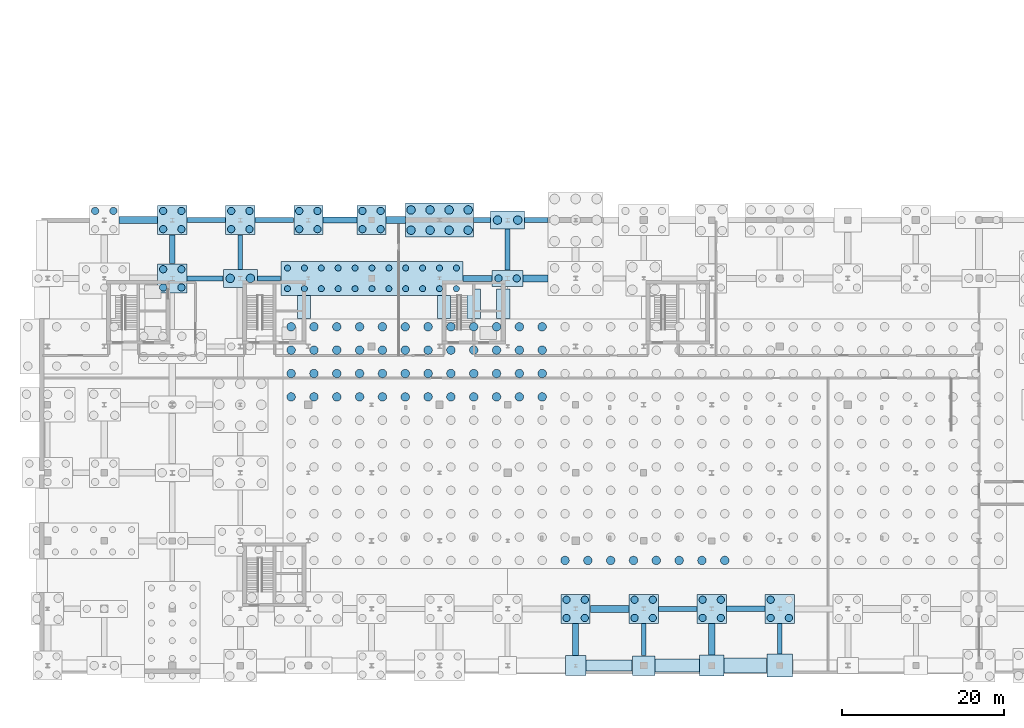
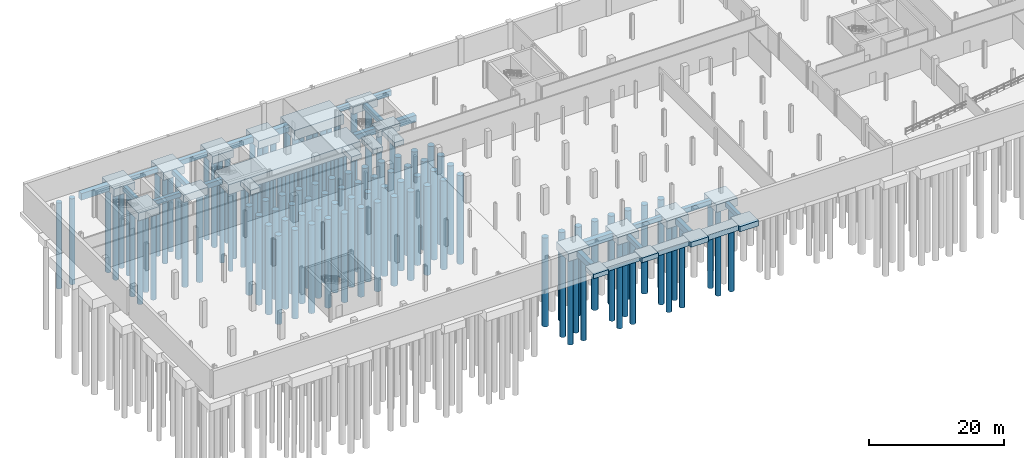
# One storey, part 3 of 32: 129 piles, 46 footings.
"""IFC4 building model written with IfcOpenShell, lengths in metres."""

from ifc_helpers import new_model, si_unit, direction, frame, origin_with_axes, origin_2d_with_axis, place, context, subcontext, project, spatial, rectangle, circle, extrude, material, material_profile, profile_set, type_object, element, save


model = new_model("IFC4")

# Units and contexts
model_context = context("Model", 3, precision=1e-05, world=origin_with_axes(), true_north=direction((0.0, 1.0)))
body_context = subcontext(model_context, "Body", "Model", "MODEL_VIEW")
ifc_project = project(units=[si_unit("LENGTHUNIT", "METRE"), si_unit("AREAUNIT", "SQUARE_METRE"), si_unit("VOLUMEUNIT", "CUBIC_METRE"), si_unit("PLANEANGLEUNIT", "RADIAN"), si_unit("MASSUNIT", "GRAM", prefix="KILO"), si_unit("THERMODYNAMICTEMPERATUREUNIT", "KELVIN")], contexts=[model_context])

# Site, building, storey
site_placement = place(None, origin_with_axes())
site = spatial("IfcSite", under=ifc_project, at=site_placement, CompositionType="ELEMENT")
building_placement = place(site_placement, origin_with_axes())
building = spatial("IfcBuilding", under=site, at=building_placement, Name="Montbau Bow Law Courts", CompositionType="ELEMENT")
storey_placement = place(building_placement, frame((0.0, 0.0, -4.8), z_axis=(0.0, 0.0, 1.0), x_axis=(1.0, 0.0, 0.0)))
storey = spatial("IfcBuildingStorey", under=building, at=storey_placement, Name="B1", CompositionType="ELEMENT", Elevation=-4.8)

# Footings
ifc_material_1 = material(Name="Concrete CSA A23.1 f'c 35 MPa", Category="concrete")
footing_type_1 = type_object("IfcFootingType", Name="FB-01", PredefinedType="FOOTING_BEAM", material=ifc_material_1)
footing_1_placement = place(None, frame((93.0, 13.8, -6.25), z_axis=(0.0, 0.0, 1.0), x_axis=(1.0, 0.0, 0.0)))
element("IfcFooting", 1, at=footing_1_placement, inside=storey, type_object=footing_type_1, Name="FB-009:fbm2_0027", PredefinedType="FOOTING_BEAM", context=body_context, shape_type="SweptSolid", body=[
    extrude(rectangle(XDim=4.77, YDim=0.65, at=origin_2d_with_axis()), origin_with_axes(), (0.0, 0.0, 1.0), 0.9),
])
footing_2_placement = place(None, frame((34.15, 54.6, -6.25), z_axis=(0.0, 0.0, 1.0), x_axis=(1.0, 0.0, 0.0)))
element("IfcFooting", 2, at=footing_2_placement, inside=storey, type_object=footing_type_1, Name="FB-045:fbm2_0063", PredefinedType="FOOTING_BEAM", context=body_context, shape_type="SweptSolid", body=[
    extrude(rectangle(XDim=2.87, YDim=0.65, at=origin_2d_with_axis()), origin_with_axes(), (0.0, 0.0, 1.0), 0.9),
])
footing_3_placement = place(None, frame((34.8, 61.8, -6.25), z_axis=(0.0, 0.0, 1.0), x_axis=(1.0, 0.0, 0.0)))
element("IfcFooting", 3, at=footing_3_placement, inside=storey, type_object=footing_type_1, Name="FB-061:fbm2_0079", PredefinedType="FOOTING_BEAM", context=body_context, shape_type="SweptSolid", body=[
    extrude(rectangle(XDim=4.77, YDim=0.65, at=origin_2d_with_axis()), origin_with_axes(), (0.0, 0.0, 1.0), 0.9),
])
footing_4_placement = place(None, frame((67.15, 61.8, -6.25), z_axis=(0.0, 0.0, 1.0), x_axis=(1.0, 0.0, 0.0)))
element("IfcFooting", 4, at=footing_4_placement, inside=storey, type_object=footing_type_1, Name="FB-065:fbm2_0083", PredefinedType="FOOTING_BEAM", context=body_context, shape_type="SweptSolid", body=[
    extrude(rectangle(XDim=2.87, YDim=0.65, at=origin_2d_with_axis()), origin_with_axes(), (0.0, 0.0, 1.0), 0.9),
])
footing_5_placement = place(None, frame((22.2, 58.2, -6.25), z_axis=(0.0, 0.0, 1.0), x_axis=(0.0, 1.0, 0.0)))
element("IfcFooting", 5, at=footing_5_placement, inside=storey, type_object=footing_type_1, Name="FB-105:fbm2_0123", PredefinedType="FOOTING_BEAM", context=body_context, shape_type="SweptSolid", body=[
    extrude(rectangle(XDim=3.57, YDim=0.65, at=origin_2d_with_axis()), origin_with_axes(), (0.0, 0.0, 1.0), 0.9),
])
footing_6_placement = place(None, frame((63.6, 58.15, -6.25), z_axis=(0.0, 0.0, 1.0), x_axis=(0.0, 1.0, 0.0)))
element("IfcFooting", 6, at=footing_6_placement, inside=storey, type_object=footing_type_1, Name="FB-117:fbm2_0135", PredefinedType="FOOTING_BEAM", context=body_context, shape_type="SweptSolid", body=[
    extrude(rectangle(XDim=5.07, YDim=0.65, at=origin_2d_with_axis()), origin_with_axes(), (0.0, 0.0, 1.0), 0.9),
])
footing_type_2 = type_object("IfcFootingType", Name="FB-02", PredefinedType="FOOTING_BEAM", material=ifc_material_1)
footing_7_placement = place(None, frame((59.9, 54.6, -6.4), z_axis=(0.0, 0.0, 1.0), x_axis=(1.0, 0.0, 0.0)))
element("IfcFooting", 7, at=footing_7_placement, inside=storey, type_object=footing_type_2, Name="FB-046:fbm2_0064", PredefinedType="FOOTING_BEAM", context=body_context, shape_type="SweptSolid", body=[
    extrude(rectangle(XDim=3.57, YDim=0.75, at=origin_2d_with_axis()), origin_with_axes(), (0.0, 0.0, 1.0), 1.05),
])
footing_8_placement = place(None, frame((42.9, 61.8, -6.4), z_axis=(0.0, 0.0, 1.0), x_axis=(1.0, 0.0, 0.0)))
element("IfcFooting", 8, at=footing_8_placement, inside=storey, type_object=footing_type_2, Name="FB-062:fbm2_0080", PredefinedType="FOOTING_BEAM", context=body_context, shape_type="SweptSolid", body=[
    extrude(rectangle(XDim=4.17, YDim=0.75, at=origin_2d_with_axis()), origin_with_axes(), (0.0, 0.0, 1.0), 1.05),
])
footing_9_placement = place(None, frame((72.0, 10.025, -6.4), z_axis=(0.0, 0.0, 1.0), x_axis=(0.0, 1.0, 0.0)))
element("IfcFooting", 9, at=footing_9_placement, inside=storey, type_object=footing_type_2, Name="FB-118:fbm2_0136", PredefinedType="FOOTING_BEAM", context=body_context, shape_type="SweptSolid", body=[
    extrude(rectangle(XDim=3.92, YDim=0.75, at=origin_2d_with_axis()), origin_with_axes(), (0.0, 0.0, 1.0), 1.05),
])
footing_10_placement = place(None, frame((88.8, 10.05, -6.4), z_axis=(0.0, 0.0, 1.0), x_axis=(0.0, 1.0, 0.0)))
element("IfcFooting", 10, at=footing_10_placement, inside=storey, type_object=footing_type_2, Name="FB-122:fbm2_0140", PredefinedType="FOOTING_BEAM", context=body_context, shape_type="SweptSolid", body=[
    extrude(rectangle(XDim=3.87, YDim=0.75, at=origin_2d_with_axis()), origin_with_axes(), (0.0, 0.0, 1.0), 1.05),
])
footing_type_3 = type_object("IfcFootingType", Name="FB-03", PredefinedType="FOOTING_BEAM", material=ifc_material_1)
footing_11_placement = place(None, frame((76.2, 13.8, -6.55), z_axis=(0.0, 0.0, 1.0), x_axis=(1.0, 0.0, 0.0)))
element("IfcFooting", 11, at=footing_11_placement, inside=storey, type_object=footing_type_3, Name="FB-007:fbm2_0025", PredefinedType="FOOTING_BEAM", context=body_context, shape_type="SweptSolid", body=[
    extrude(rectangle(XDim=4.77, YDim=0.85, at=origin_2d_with_axis()), origin_with_axes(), (0.0, 0.0, 1.0), 1.2),
])
footing_12_placement = place(None, frame((67.05, 54.6, -6.55), z_axis=(0.0, 0.0, 1.0), x_axis=(1.0, 0.0, 0.0)))
element("IfcFooting", 12, at=footing_12_placement, inside=storey, type_object=footing_type_3, Name="FB-047:fbm2_0065", PredefinedType="FOOTING_BEAM", context=body_context, shape_type="SweptSolid", body=[
    extrude(rectangle(XDim=3.07, YDim=0.85, at=origin_2d_with_axis()), origin_with_axes(), (0.0, 0.0, 1.0), 1.2),
])
footing_13_placement = place(None, frame((18.0, 61.8, -6.55), z_axis=(0.0, 0.0, 1.0), x_axis=(1.0, 0.0, 0.0)))
element("IfcFooting", 13, at=footing_13_placement, inside=storey, type_object=footing_type_3, Name="FB-059:fbm2_0077", PredefinedType="FOOTING_BEAM", context=body_context, shape_type="SweptSolid", body=[
    extrude(rectangle(XDim=4.77, YDim=0.85, at=origin_2d_with_axis()), origin_with_axes(), (0.0, 0.0, 1.0), 1.2),
])
footing_14_placement = place(None, frame((49.8, 61.8, -6.55), z_axis=(0.0, 0.0, 1.0), x_axis=(1.0, 0.0, 0.0)))
element("IfcFooting", 14, at=footing_14_placement, inside=storey, type_object=footing_type_3, Name="FB-063:fbm2_0081", PredefinedType="FOOTING_BEAM", context=body_context, shape_type="SweptSolid", body=[
    extrude(rectangle(XDim=2.37, YDim=0.85, at=origin_2d_with_axis()), origin_with_axes(), (0.0, 0.0, 1.0), 1.2),
])
footing_type_4 = type_object("IfcFootingType", Name="FB-04", PredefinedType="FOOTING_BEAM", material=ifc_material_1)
footing_15_placement = place(None, frame((84.6, 13.8, -6.15), z_axis=(0.0, 0.0, 1.0), x_axis=(1.0, 0.0, 0.0)))
element("IfcFooting", 15, at=footing_15_placement, inside=storey, type_object=footing_type_4, Name="FB-008:fbm2_0026", PredefinedType="FOOTING_BEAM", context=body_context, shape_type="SweptSolid", body=[
    extrude(rectangle(XDim=4.77, YDim=0.6, at=origin_2d_with_axis()), origin_with_axes(), (0.0, 0.0, 1.0), 0.8),
])
footing_16_placement = place(None, frame((26.25, 54.6, -6.15), z_axis=(0.0, 0.0, 1.0), x_axis=(1.0, 0.0, 0.0)))
element("IfcFooting", 16, at=footing_16_placement, inside=storey, type_object=footing_type_4, Name="FB-044:fbm2_0062", PredefinedType="FOOTING_BEAM", context=body_context, shape_type="SweptSolid", body=[
    extrude(rectangle(XDim=4.47, YDim=0.6, at=origin_2d_with_axis()), origin_with_axes(), (0.0, 0.0, 1.0), 0.8),
])
footing_17_placement = place(None, frame((26.4, 61.8, -6.15), z_axis=(0.0, 0.0, 1.0), x_axis=(1.0, 0.0, 0.0)))
element("IfcFooting", 17, at=footing_17_placement, inside=storey, type_object=footing_type_4, Name="FB-060:fbm2_0078", PredefinedType="FOOTING_BEAM", context=body_context, shape_type="SweptSolid", body=[
    extrude(rectangle(XDim=4.77, YDim=0.6, at=origin_2d_with_axis()), origin_with_axes(), (0.0, 0.0, 1.0), 0.8),
])
footing_18_placement = place(None, frame((60.45, 61.8, -6.15), z_axis=(0.0, 0.0, 1.0), x_axis=(1.0, 0.0, 0.0)))
element("IfcFooting", 18, at=footing_18_placement, inside=storey, type_object=footing_type_4, Name="FB-064:fbm2_0082", PredefinedType="FOOTING_BEAM", context=body_context, shape_type="SweptSolid", body=[
    extrude(rectangle(XDim=2.07, YDim=0.6, at=origin_2d_with_axis()), origin_with_axes(), (0.0, 0.0, 1.0), 0.8),
])
footing_19_placement = place(None, frame((30.6, 57.85, -6.15), z_axis=(0.0, 0.0, 1.0), x_axis=(0.0, 1.0, 0.0)))
element("IfcFooting", 19, at=footing_19_placement, inside=storey, type_object=footing_type_4, Name="FB-112:fbm2_0130", PredefinedType="FOOTING_BEAM", context=body_context, shape_type="SweptSolid", body=[
    extrude(rectangle(XDim=4.27, YDim=0.6, at=origin_2d_with_axis()), origin_with_axes(), (0.0, 0.0, 1.0), 0.8),
])
footing_20_placement = place(None, frame((80.4, 10.0, -6.15), z_axis=(0.0, 0.0, 1.0), x_axis=(0.0, 1.0, 0.0)))
element("IfcFooting", 20, at=footing_20_placement, inside=storey, type_object=footing_type_4, Name="FB-120:fbm2_0138", PredefinedType="FOOTING_BEAM", context=body_context, shape_type="SweptSolid", body=[
    extrude(rectangle(XDim=3.97, YDim=0.6, at=origin_2d_with_axis()), origin_with_axes(), (0.0, 0.0, 1.0), 0.8),
])
footing_21_placement = place(None, frame((97.2, 10.1, -6.15), z_axis=(0.0, 0.0, 1.0), x_axis=(0.0, 1.0, 0.0)))
element("IfcFooting", 21, at=footing_21_placement, inside=storey, type_object=footing_type_4, Name="FB-124:fbm2_0142", PredefinedType="FOOTING_BEAM", context=body_context, shape_type="SweptSolid", body=[
    extrude(rectangle(XDim=3.77, YDim=0.6, at=origin_2d_with_axis()), origin_with_axes(), (0.0, 0.0, 1.0), 0.8),
])
footing_type_5 = type_object("IfcFootingType", Name="FC-01", PredefinedType="PILE_CAP", material=ifc_material_1)
for number, where, z_axis, x_axis, name in (
    (22, (22.2, 54.6, -6.75), (0.0, 0.0, 1.0), (1.0, 0.0, 0.0), "FCA-018:ftg2_0018"),
    (23, (46.8, 61.8, -6.75), (0.0, 0.0, 1.0), (1.0, 0.0, 0.0), "FCA-030:ftg2_0030"),
    (24, (22.2, 61.8, -6.75), (0.0, 0.0, 1.0), (1.0, 0.0, 0.0), "FC-PLZ-02:ftg2_0125"),
    (25, (30.6, 61.8, -6.75), (0.0, 0.0, 1.0), (1.0, 0.0, 0.0), "FC-PLZ-03:ftg2_0126"),
    (26, (39.0, 61.8, -6.75), (0.0, 0.0, 1.0), (1.0, 0.0, 0.0), "FC-PLZ-04:ftg2_0127"),
    (27, (72.0, 13.8, -6.75), (0.0, 0.0, 1.0), (1.0, 0.0, 0.0), "FC-PLZ-09:ftg2_0132"),
    (28, (80.4, 13.8, -6.75), (0.0, 0.0, 1.0), (1.0, 0.0, 0.0), "FC-PLZ-10:ftg2_0133"),
    (29, (88.8, 13.8, -6.75), (0.0, 0.0, 1.0), (1.0, 0.0, 0.0), "FC-PLZ-11:ftg2_0134"),
    (30, (97.2, 13.8, -6.75), (0.0, 0.0, 1.0), (1.0, 0.0, 0.0), "FC-PLZ-12:ftg2_0135"),
):
    element("IfcFooting", number, at=place(None, frame(where, z_axis=z_axis, x_axis=x_axis)), inside=storey, type_object=footing_type_5, Name=name, PredefinedType="PILE_CAP", context=body_context, shape_type="SweptSolid", body=[
        extrude(rectangle(XDim=3.6, YDim=3.6, at=origin_2d_with_axis()), origin_with_axes(), (0.0, 0.0, 1.0), 1.4),
    ])
footing_type_6 = type_object("IfcFootingType", Name="FC-07", PredefinedType="PILE_CAP", material=ifc_material_1)
footing_22_placement = place(None, frame((63.6, 54.6, -6.65), z_axis=(0.0, 0.0, 1.0), x_axis=(1.0, 0.0, 0.0)))
element("IfcFooting", 31, at=footing_22_placement, inside=storey, type_object=footing_type_6, Name="FCA-033:ftg2_0033", PredefinedType="PILE_CAP", context=body_context, shape_type="SweptSolid", body=[
    extrude(rectangle(XDim=3.8, YDim=2.0, at=origin_2d_with_axis()), origin_with_axes(), (0.0, 0.0, 1.0), 1.3),
])
footing_type_7 = type_object("IfcFootingType", Name="FC-08", PredefinedType="PILE_CAP", material=ifc_material_1)
for number, where, z_axis, x_axis, name in (
    (32, (30.6, 54.6, -6.7), (0.0, 0.0, 1.0), (1.0, 0.0, 0.0), "FCA-025:ftg2_0025"),
    (33, (63.6, 61.8, -6.7), (0.0, 0.0, 1.0), (1.0, 0.0, 0.0), "FCA-034:ftg2_0034"),
):
    element("IfcFooting", number, at=place(None, frame(where, z_axis=z_axis, x_axis=x_axis)), inside=storey, type_object=footing_type_7, Name=name, PredefinedType="PILE_CAP", context=body_context, shape_type="SweptSolid", body=[
        extrude(rectangle(XDim=4.2, YDim=2.2, at=origin_2d_with_axis()), origin_with_axes(), (0.0, 0.0, 1.0), 1.35),
    ])
footing_type_8 = type_object("IfcFootingType", Name="FC-10", PredefinedType="PILE_CAP", material=ifc_material_1)
footing_23_placement = place(None, frame((55.2, 61.8, -7.1), z_axis=(0.0, 0.0, 1.0), x_axis=(1.0, 0.0, 0.0)))
element("IfcFooting", 34, at=footing_23_placement, inside=storey, type_object=footing_type_8, Name="FCA-032:ftg2_0032", PredefinedType="PILE_CAP", context=body_context, shape_type="SweptSolid", body=[
    extrude(rectangle(XDim=8.4, YDim=4.2, at=origin_2d_with_axis()), origin_with_axes(), (0.0, 0.0, 1.0), 1.75),
])
footing_type_9 = type_object("IfcFootingType", Name="FC-CMB", PredefinedType="PILE_CAP", material=ifc_material_1)
footing_24_placement = place(None, frame((46.85, 54.6, -7.15), z_axis=(0.0, 0.0, 1.0), x_axis=(1.0, 0.0, 0.0)))
element("IfcFooting", 35, at=footing_24_placement, inside=storey, type_object=footing_type_9, Name="FCA-029:ftg2_0029", PredefinedType="PILE_CAP", context=body_context, shape_type="SweptSolid", body=[
    extrude(rectangle(XDim=22.5, YDim=4.2, at=origin_2d_with_axis()), origin_with_axes(), (0.0, 0.0, 1.0), 1.8),
])
footing_type_10 = type_object("IfcFootingType", Name="FP-02", PredefinedType="PAD_FOOTING", material=ifc_material_1)
footing_25_placement = place(None, frame((72.0, 6.8, -6.15), z_axis=(0.0, 0.0, 1.0), x_axis=(1.0, 0.0, 0.0)))
element("IfcFooting", 36, at=footing_25_placement, inside=storey, type_object=footing_type_10, Name="FP-02:ftg2_0117", PredefinedType="PAD_FOOTING", context=body_context, shape_type="SweptSolid", body=[
    extrude(rectangle(XDim=2.5, YDim=2.5, at=origin_2d_with_axis()), origin_with_axes(), (0.0, 0.0, 1.0), 0.8),
])
footing_type_11 = type_object("IfcFootingType", Name="FP-03", PredefinedType="PAD_FOOTING", material=ifc_material_1)
footing_26_placement = place(None, frame((80.4, 6.8, -6.2), z_axis=(0.0, 0.0, 1.0), x_axis=(1.0, 0.0, 0.0)))
element("IfcFooting", 37, at=footing_26_placement, inside=storey, type_object=footing_type_11, Name="FP-03:ftg2_0118", PredefinedType="PAD_FOOTING", context=body_context, shape_type="SweptSolid", body=[
    extrude(rectangle(XDim=2.8, YDim=2.4, at=origin_2d_with_axis()), origin_with_axes(), (0.0, 0.0, 1.0), 0.85),
])
footing_type_12 = type_object("IfcFootingType", Name="FP-04", PredefinedType="PAD_FOOTING", material=ifc_material_1)
footing_27_placement = place(None, frame((88.8, 6.8, -6.25), z_axis=(0.0, 0.0, 1.0), x_axis=(1.0, 0.0, 0.0)))
element("IfcFooting", 38, at=footing_27_placement, inside=storey, type_object=footing_type_12, Name="FP-04:ftg2_0119", PredefinedType="PAD_FOOTING", context=body_context, shape_type="SweptSolid", body=[
    extrude(rectangle(XDim=3.0, YDim=2.6, at=origin_2d_with_axis()), origin_with_axes(), (0.0, 0.0, 1.0), 0.9),
])
footing_type_13 = type_object("IfcFootingType", Name="FP-05", PredefinedType="PAD_FOOTING", material=ifc_material_1)
footing_28_placement = place(None, frame((97.2, 6.8, -6.3), z_axis=(0.0, 0.0, 1.0), x_axis=(1.0, 0.0, 0.0)))
element("IfcFooting", 39, at=footing_28_placement, inside=storey, type_object=footing_type_13, Name="FP-05:ftg2_0120", PredefinedType="PAD_FOOTING", context=body_context, shape_type="SweptSolid", body=[
    extrude(rectangle(XDim=3.2, YDim=2.8, at=origin_2d_with_axis()), origin_with_axes(), (0.0, 0.0, 1.0), 0.95),
])

# Piles
ifc_material_2 = material(Name="Concrete CSA A23.1 f'c 40 MPa", Category="concrete")
ifc_material_profile_1 = material_profile(ifc_material_2, circle(Radius=0.375, at=origin_2d_with_axis()), Name="BP750", Category="Main", Priority=0)
ifc_profile_set_1 = profile_set([ifc_material_profile_1], Name="Concrete CSA A23.1 f'c 40 MPa")
pile_type_1 = type_object("IfcPileType", Name="P-0750", PredefinedType="BORED", material=ifc_profile_set_1)
for number, where, z_axis, x_axis, name in (
    (40, (36.425, 53.325, -21.55), (0.0, 0.0, 1.0), (1.0, 0.0, 0.0), "FCA-029-P01:pil_e2_0391"),
    (41, (36.425, 55.875, -21.55), (0.0, 0.0, 1.0), (1.0, 0.0, 0.0), "FCA-029-P02:pil_e2_0392"),
    (42, (38.51, 53.325, -21.55), (0.0, 0.0, 1.0), (1.0, 0.0, 0.0), "FCA-029-P03:pil_e2_0393"),
    (43, (38.51, 55.875, -21.55), (0.0, 0.0, 1.0), (1.0, 0.0, 0.0), "FCA-029-P04:pil_e2_0394"),
    (44, (40.595, 53.325, -21.55), (0.0, 0.0, 1.0), (1.0, 0.0, 0.0), "FCA-029-P05:pil_e2_0395"),
    (45, (40.595, 55.875, -21.55), (0.0, 0.0, 1.0), (1.0, 0.0, 0.0), "FCA-029-P06:pil_e2_0396"),
    (46, (42.68, 53.325, -21.55), (0.0, 0.0, 1.0), (1.0, 0.0, 0.0), "FCA-029-P07:pil_e2_0397"),
    (47, (42.68, 55.875, -21.55), (0.0, 0.0, 1.0), (1.0, 0.0, 0.0), "FCA-029-P08:pil_e2_0398"),
    (48, (44.765, 53.325, -21.55), (0.0, 0.0, 1.0), (1.0, 0.0, 0.0), "FCA-029-P09:pil_e2_0399"),
    (49, (44.765, 55.875, -21.55), (0.0, 0.0, 1.0), (1.0, 0.0, 0.0), "FCA-029-P10:pil_e2_0400"),
    (50, (46.85, 53.325, -21.55), (0.0, 0.0, 1.0), (1.0, 0.0, 0.0), "FCA-029-P11:pil_e2_0401"),
    (51, (46.85, 55.875, -21.55), (0.0, 0.0, 1.0), (1.0, 0.0, 0.0), "FCA-029-P12:pil_e2_0402"),
    (52, (48.935, 53.325, -21.55), (0.0, 0.0, 1.0), (1.0, 0.0, 0.0), "FCA-029-P13:pil_e2_0403"),
    (53, (48.935, 55.875, -21.55), (0.0, 0.0, 1.0), (1.0, 0.0, 0.0), "FCA-029-P14:pil_e2_0404"),
    (54, (51.02, 53.325, -21.55), (0.0, 0.0, 1.0), (1.0, 0.0, 0.0), "FCA-029-P15:pil_e2_0405"),
    (55, (51.02, 55.875, -21.55), (0.0, 0.0, 1.0), (1.0, 0.0, 0.0), "FCA-029-P16:pil_e2_0406"),
    (56, (53.105, 53.325, -21.55), (0.0, 0.0, 1.0), (1.0, 0.0, 0.0), "FCA-029-P17:pil_e2_0407"),
    (57, (53.105, 55.875, -21.55), (0.0, 0.0, 1.0), (1.0, 0.0, 0.0), "FCA-029-P18:pil_e2_0408"),
    (58, (55.19, 53.325, -21.55), (0.0, 0.0, 1.0), (1.0, 0.0, 0.0), "FCA-029-P19:pil_e2_0409"),
    (59, (55.19, 55.875, -21.55), (0.0, 0.0, 1.0), (1.0, 0.0, 0.0), "FCA-029-P20:pil_e2_0410"),
    (60, (57.275, 53.325, -21.55), (0.0, 0.0, 1.0), (1.0, 0.0, 0.0), "FCA-029-P21:pil_e2_0411"),
    (61, (57.275, 55.875, -21.55), (0.0, 0.0, 1.0), (1.0, 0.0, 0.0), "FCA-029-P22:pil_e2_0412"),
):
    element("IfcPile", number, at=place(None, frame(where, z_axis=z_axis, x_axis=x_axis)), inside=storey, type_object=pile_type_1, Name=name, ConstructionType="CAST_IN_PLACE", PredefinedType="BORED", context=body_context, shape_type="SweptSolid", body=[
        extrude(circle(Radius=0.375, at=origin_2d_with_axis()), origin_with_axes(), (0.0, 0.0, 1.0), 14.5),
    ])
ifc_material_profile_2 = material_profile(ifc_material_2, circle(Radius=0.45, at=origin_2d_with_axis()), Name="BP900", Category="Main", Priority=0)
ifc_profile_set_2 = profile_set([ifc_material_profile_2], Name="Concrete CSA A23.1 f'c 40 MPa")
pile_type_2 = type_object("IfcPileType", Name="P-0900", PredefinedType="BORED", material=ifc_profile_set_2)
for number, where, z_axis, x_axis, name in (
    (62, (21.075, 53.475, -22.15), (0.0, 0.0, 1.0), (1.0, 0.0, 0.0), "FCA-018-P01:pil_f2_0057"),
    (63, (21.075, 55.725, -22.15), (0.0, 0.0, 1.0), (1.0, 0.0, 0.0), "FCA-018-P02:pil_f2_0058"),
    (64, (23.325, 53.475, -22.15), (0.0, 0.0, 1.0), (1.0, 0.0, 0.0), "FCA-018-P03:pil_f2_0059"),
    (65, (23.325, 55.725, -22.15), (0.0, 0.0, 1.0), (1.0, 0.0, 0.0), "FCA-018-P04:pil_f2_0060"),
    (66, (45.675, 60.675, -22.15), (0.0, 0.0, 1.0), (1.0, 0.0, 0.0), "FCA-030-P01:pil_f2_0105"),
    (67, (45.675, 62.925, -22.15), (0.0, 0.0, 1.0), (1.0, 0.0, 0.0), "FCA-030-P02:pil_f2_0106"),
    (68, (47.925, 60.675, -22.15), (0.0, 0.0, 1.0), (1.0, 0.0, 0.0), "FCA-030-P03:pil_f2_0107"),
    (69, (47.925, 62.925, -22.15), (0.0, 0.0, 1.0), (1.0, 0.0, 0.0), "FCA-030-P04:pil_f2_0108"),
    (70, (62.475, 54.6, -22.05), (0.0, 0.0, 1.0), (1.0, 0.0, 0.0), "FCA-033-P01:pil_f2_0123"),
    (71, (64.725, 54.6, -22.05), (0.0, 0.0, 1.0), (1.0, 0.0, 0.0), "FCA-033-P02:pil_f2_0124"),
    (72, (12.675, 62.925, -22.15), (0.0, 0.0, 1.0), (1.0, 0.0, 0.0), "FC-PLZ-01-P02:pil_f2_0456"),
    (73, (14.925, 62.925, -22.15), (0.0, 0.0, 1.0), (1.0, 0.0, 0.0), "FC-PLZ-01-P04:pil_f2_0458"),
    (74, (21.075, 60.675, -22.15), (0.0, 0.0, 1.0), (1.0, 0.0, 0.0), "FC-PLZ-02-P01:pil_f2_0459"),
    (75, (21.075, 62.925, -22.15), (0.0, 0.0, 1.0), (1.0, 0.0, 0.0), "FC-PLZ-02-P02:pil_f2_0460"),
    (76, (23.325, 60.675, -22.15), (0.0, 0.0, 1.0), (1.0, 0.0, 0.0), "FC-PLZ-02-P03:pil_f2_0461"),
    (77, (23.325, 62.925, -22.15), (0.0, 0.0, 1.0), (1.0, 0.0, 0.0), "FC-PLZ-02-P04:pil_f2_0462"),
    (78, (29.475, 60.675, -22.15), (0.0, 0.0, 1.0), (1.0, 0.0, 0.0), "FC-PLZ-03-P01:pil_f2_0463"),
    (79, (29.475, 62.925, -22.15), (0.0, 0.0, 1.0), (1.0, 0.0, 0.0), "FC-PLZ-03-P02:pil_f2_0464"),
    (80, (31.725, 60.675, -22.15), (0.0, 0.0, 1.0), (1.0, 0.0, 0.0), "FC-PLZ-03-P03:pil_f2_0465"),
    (81, (31.725, 62.925, -22.15), (0.0, 0.0, 1.0), (1.0, 0.0, 0.0), "FC-PLZ-03-P04:pil_f2_0466"),
    (82, (37.875, 60.675, -22.15), (0.0, 0.0, 1.0), (1.0, 0.0, 0.0), "FC-PLZ-04-P01:pil_f2_0467"),
    (83, (37.875, 62.925, -22.15), (0.0, 0.0, 1.0), (1.0, 0.0, 0.0), "FC-PLZ-04-P02:pil_f2_0468"),
    (84, (40.125, 60.675, -22.15), (0.0, 0.0, 1.0), (1.0, 0.0, 0.0), "FC-PLZ-04-P03:pil_f2_0469"),
    (85, (40.125, 62.925, -22.15), (0.0, 0.0, 1.0), (1.0, 0.0, 0.0), "FC-PLZ-04-P04:pil_f2_0470"),
    (86, (70.875, 12.675, -22.15), (0.0, 0.0, 1.0), (1.0, 0.0, 0.0), "FC-PLZ-09-P01:pil_f2_0487"),
    (87, (70.875, 14.925, -22.15), (0.0, 0.0, 1.0), (1.0, 0.0, 0.0), "FC-PLZ-09-P02:pil_f2_0488"),
    (88, (73.125, 12.675, -22.15), (0.0, 0.0, 1.0), (1.0, 0.0, 0.0), "FC-PLZ-09-P03:pil_f2_0489"),
    (89, (73.125, 14.925, -22.15), (0.0, 0.0, 1.0), (1.0, 0.0, 0.0), "FC-PLZ-09-P04:pil_f2_0490"),
    (90, (79.275, 12.675, -22.15), (0.0, 0.0, 1.0), (1.0, 0.0, 0.0), "FC-PLZ-10-P01:pil_f2_0491"),
    (91, (79.275, 14.925, -22.15), (0.0, 0.0, 1.0), (1.0, 0.0, 0.0), "FC-PLZ-10-P02:pil_f2_0492"),
    (92, (81.525, 12.675, -22.15), (0.0, 0.0, 1.0), (1.0, 0.0, 0.0), "FC-PLZ-10-P03:pil_f2_0493"),
    (93, (81.525, 14.925, -22.15), (0.0, 0.0, 1.0), (1.0, 0.0, 0.0), "FC-PLZ-10-P04:pil_f2_0494"),
    (94, (87.675, 12.675, -22.15), (0.0, 0.0, 1.0), (1.0, 0.0, 0.0), "FC-PLZ-11-P01:pil_f2_0495"),
    (95, (87.675, 14.925, -22.15), (0.0, 0.0, 1.0), (1.0, 0.0, 0.0), "FC-PLZ-11-P02:pil_f2_0496"),
    (96, (89.925, 12.675, -22.15), (0.0, 0.0, 1.0), (1.0, 0.0, 0.0), "FC-PLZ-11-P03:pil_f2_0497"),
    (97, (89.925, 14.925, -22.15), (0.0, 0.0, 1.0), (1.0, 0.0, 0.0), "FC-PLZ-11-P04:pil_f2_0498"),
    (98, (96.075, 12.675, -22.15), (0.0, 0.0, 1.0), (1.0, 0.0, 0.0), "FC-PLZ-12-P01:pil_f2_0499"),
    (99, (96.075, 14.925, -22.15), (0.0, 0.0, 1.0), (1.0, 0.0, 0.0), "FC-PLZ-12-P02:pil_f2_0500"),
    (100, (98.325, 12.675, -22.15), (0.0, 0.0, 1.0), (1.0, 0.0, 0.0), "FC-PLZ-12-P03:pil_f2_0501"),
):
    element("IfcPile", number, at=place(None, frame(where, z_axis=z_axis, x_axis=x_axis)), inside=storey, type_object=pile_type_2, Name=name, ConstructionType="CAST_IN_PLACE", PredefinedType="BORED", context=body_context, shape_type="SweptSolid", body=[
        extrude(circle(Radius=0.45, at=origin_2d_with_axis()), origin_with_axes(), (0.0, 0.0, 1.0), 15.5),
    ])
ifc_material_profile_3 = material_profile(ifc_material_2, circle(Radius=0.525, at=origin_2d_with_axis()), Name="BP1050", Category="Main", Priority=0)
ifc_profile_set_3 = profile_set([ifc_material_profile_3], Name="Concrete CSA A23.1 f'c 40 MPa")
pile_type_3 = type_object("IfcPileType", Name="P-1050", PredefinedType="BORED", material=ifc_profile_set_3)
for number, where, z_axis, x_axis, name in (
    (101, (36.875, 39.97, -23.05), (0.0, 0.0, 1.0), (1.0, 0.0, 0.0), "FCA-028-P08:pil_e2_0046"),
    (102, (36.875, 42.855, -23.05), (0.0, 0.0, 1.0), (1.0, 0.0, 0.0), "FCA-028-P09:pil_e2_0047"),
    (103, (36.875, 45.74, -23.05), (0.0, 0.0, 1.0), (1.0, 0.0, 0.0), "FCA-028-P10:pil_e2_0048"),
    (104, (36.875, 48.625, -23.05), (0.0, 0.0, 1.0), (1.0, 0.0, 0.0), "FCA-028-P11:pil_e2_0049"),
    (105, (39.693, 39.97, -23.05), (0.0, 0.0, 1.0), (1.0, 0.0, 0.0), "FCA-028-P19:pil_e2_0057"),
    (106, (39.693, 42.855, -23.05), (0.0, 0.0, 1.0), (1.0, 0.0, 0.0), "FCA-028-P20:pil_e2_0058"),
    (107, (39.693, 45.74, -23.05), (0.0, 0.0, 1.0), (1.0, 0.0, 0.0), "FCA-028-P21:pil_e2_0059"),
    (108, (39.693, 48.625, -23.05), (0.0, 0.0, 1.0), (1.0, 0.0, 0.0), "FCA-028-P22:pil_e2_0060"),
    (109, (42.51, 39.97, -23.05), (0.0, 0.0, 1.0), (1.0, 0.0, 0.0), "FCA-028-P30:pil_e2_0068"),
    (110, (42.51, 42.855, -23.05), (0.0, 0.0, 1.0), (1.0, 0.0, 0.0), "FCA-028-P31:pil_e2_0069"),
    (111, (42.51, 45.74, -23.05), (0.0, 0.0, 1.0), (1.0, 0.0, 0.0), "FCA-028-P32:pil_e2_0070"),
    (112, (42.51, 48.625, -23.05), (0.0, 0.0, 1.0), (1.0, 0.0, 0.0), "FCA-028-P33:pil_e2_0071"),
    (113, (45.328, 39.97, -23.05), (0.0, 0.0, 1.0), (1.0, 0.0, 0.0), "FCA-028-P41:pil_e2_0079"),
    (114, (45.328, 42.855, -23.05), (0.0, 0.0, 1.0), (1.0, 0.0, 0.0), "FCA-028-P42:pil_e2_0080"),
    (115, (45.328, 45.74, -23.05), (0.0, 0.0, 1.0), (1.0, 0.0, 0.0), "FCA-028-P43:pil_e2_0081"),
    (116, (45.328, 48.625, -23.05), (0.0, 0.0, 1.0), (1.0, 0.0, 0.0), "FCA-028-P44:pil_e2_0082"),
    (117, (48.146, 39.97, -23.05), (0.0, 0.0, 1.0), (1.0, 0.0, 0.0), "FCA-028-P52:pil_e2_0090"),
    (118, (48.146, 42.855, -23.05), (0.0, 0.0, 1.0), (1.0, 0.0, 0.0), "FCA-028-P53:pil_e2_0091"),
    (119, (48.146, 45.74, -23.05), (0.0, 0.0, 1.0), (1.0, 0.0, 0.0), "FCA-028-P54:pil_e2_0092"),
    (120, (48.146, 48.625, -23.05), (0.0, 0.0, 1.0), (1.0, 0.0, 0.0), "FCA-028-P55:pil_e2_0093"),
    (121, (50.964, 39.97, -23.05), (0.0, 0.0, 1.0), (1.0, 0.0, 0.0), "FCA-028-P63:pil_e2_0101"),
    (122, (50.964, 42.855, -23.05), (0.0, 0.0, 1.0), (1.0, 0.0, 0.0), "FCA-028-P64:pil_e2_0102"),
    (123, (50.964, 45.74, -23.05), (0.0, 0.0, 1.0), (1.0, 0.0, 0.0), "FCA-028-P65:pil_e2_0103"),
    (124, (50.964, 48.625, -23.05), (0.0, 0.0, 1.0), (1.0, 0.0, 0.0), "FCA-028-P66:pil_e2_0104"),
    (125, (53.781, 39.97, -23.05), (0.0, 0.0, 1.0), (1.0, 0.0, 0.0), "FCA-028-P74:pil_e2_0112"),
    (126, (53.781, 42.855, -23.05), (0.0, 0.0, 1.0), (1.0, 0.0, 0.0), "FCA-028-P75:pil_e2_0113"),
    (127, (53.781, 45.74, -23.05), (0.0, 0.0, 1.0), (1.0, 0.0, 0.0), "FCA-028-P76:pil_e2_0114"),
    (128, (53.781, 48.625, -23.05), (0.0, 0.0, 1.0), (1.0, 0.0, 0.0), "FCA-028-P77:pil_e2_0115"),
    (129, (56.599, 39.97, -23.05), (0.0, 0.0, 1.0), (1.0, 0.0, 0.0), "FCA-028-P85:pil_e2_0123"),
    (130, (56.599, 42.855, -23.05), (0.0, 0.0, 1.0), (1.0, 0.0, 0.0), "FCA-028-P86:pil_e2_0124"),
    (131, (56.599, 45.74, -23.05), (0.0, 0.0, 1.0), (1.0, 0.0, 0.0), "FCA-028-P87:pil_e2_0125"),
    (132, (56.599, 48.625, -23.05), (0.0, 0.0, 1.0), (1.0, 0.0, 0.0), "FCA-028-P88:pil_e2_0126"),
    (133, (59.417, 39.97, -23.05), (0.0, 0.0, 1.0), (1.0, 0.0, 0.0), "FCA-028-P96:pil_e2_0134"),
    (134, (59.417, 42.855, -23.05), (0.0, 0.0, 1.0), (1.0, 0.0, 0.0), "FCA-028-P97:pil_e2_0135"),
    (135, (59.417, 45.74, -23.05), (0.0, 0.0, 1.0), (1.0, 0.0, 0.0), "FCA-028-P98:pil_e2_0136"),
    (136, (59.417, 48.625, -23.05), (0.0, 0.0, 1.0), (1.0, 0.0, 0.0), "FCA-028-P99:pil_e2_0137"),
    (137, (62.235, 39.97, -23.05), (0.0, 0.0, 1.0), (1.0, 0.0, 0.0), "FCA-028-P107:pil_e2_0145"),
    (138, (62.235, 42.855, -23.05), (0.0, 0.0, 1.0), (1.0, 0.0, 0.0), "FCA-028-P108:pil_e2_0146"),
    (139, (62.235, 45.74, -23.05), (0.0, 0.0, 1.0), (1.0, 0.0, 0.0), "FCA-028-P109:pil_e2_0147"),
    (140, (62.235, 48.625, -23.05), (0.0, 0.0, 1.0), (1.0, 0.0, 0.0), "FCA-028-P110:pil_e2_0148"),
    (141, (65.052, 39.97, -23.05), (0.0, 0.0, 1.0), (1.0, 0.0, 0.0), "FCA-028-P118:pil_e2_0156"),
    (142, (65.052, 42.855, -23.05), (0.0, 0.0, 1.0), (1.0, 0.0, 0.0), "FCA-028-P119:pil_e2_0157"),
    (143, (65.052, 45.74, -23.05), (0.0, 0.0, 1.0), (1.0, 0.0, 0.0), "FCA-028-P120:pil_e2_0158"),
    (144, (65.052, 48.625, -23.05), (0.0, 0.0, 1.0), (1.0, 0.0, 0.0), "FCA-028-P121:pil_e2_0159"),
    (145, (67.87, 39.97, -23.05), (0.0, 0.0, 1.0), (1.0, 0.0, 0.0), "FCA-028-P129:pil_e2_0167"),
    (146, (67.87, 42.855, -23.05), (0.0, 0.0, 1.0), (1.0, 0.0, 0.0), "FCA-028-P130:pil_e2_0168"),
    (147, (67.87, 45.74, -23.05), (0.0, 0.0, 1.0), (1.0, 0.0, 0.0), "FCA-028-P131:pil_e2_0169"),
    (148, (67.87, 48.625, -23.05), (0.0, 0.0, 1.0), (1.0, 0.0, 0.0), "FCA-028-P132:pil_e2_0170"),
    (149, (70.688, 19.775, -23.05), (0.0, 0.0, 1.0), (1.0, 0.0, 0.0), "FCA-028-P133:pil_e2_0171"),
    (150, (73.506, 19.775, -23.05), (0.0, 0.0, 1.0), (1.0, 0.0, 0.0), "FCA-028-P144:pil_e2_0182"),
    (151, (76.323, 19.775, -23.05), (0.0, 0.0, 1.0), (1.0, 0.0, 0.0), "FCA-028-P155:pil_e2_0193"),
    (152, (79.141, 19.775, -23.05), (0.0, 0.0, 1.0), (1.0, 0.0, 0.0), "FCA-028-P166:pil_e2_0204"),
    (153, (81.959, 19.775, -23.05), (0.0, 0.0, 1.0), (1.0, 0.0, 0.0), "FCA-028-P177:pil_e2_0215"),
    (154, (84.777, 19.775, -23.05), (0.0, 0.0, 1.0), (1.0, 0.0, 0.0), "FCA-028-P188:pil_e2_0226"),
    (155, (87.594, 19.775, -23.05), (0.0, 0.0, 1.0), (1.0, 0.0, 0.0), "FCA-028-P199:pil_e2_0237"),
    (156, (90.412, 19.775, -23.05), (0.0, 0.0, 1.0), (1.0, 0.0, 0.0), "FCA-028-P210:pil_e2_0248"),
    (157, (29.35, 54.6, -22.6), (0.0, 0.0, 1.0), (1.0, 0.0, 0.0), "FCA-025-P01:pil_f2_0092"),
    (158, (31.85, 54.6, -22.6), (0.0, 0.0, 1.0), (1.0, 0.0, 0.0), "FCA-025-P02:pil_f2_0093"),
    (159, (51.675, 60.55, -23.0), (0.0, 0.0, 1.0), (1.0, 0.0, 0.0), "FCA-032-P01:pil_f2_0115"),
    (160, (51.675, 63.05, -23.0), (0.0, 0.0, 1.0), (1.0, 0.0, 0.0), "FCA-032-P02:pil_f2_0116"),
    (161, (54.025, 60.55, -23.0), (0.0, 0.0, 1.0), (1.0, 0.0, 0.0), "FCA-032-P03:pil_f2_0117"),
    (162, (54.025, 63.05, -23.0), (0.0, 0.0, 1.0), (1.0, 0.0, 0.0), "FCA-032-P04:pil_f2_0118"),
    (163, (56.375, 60.55, -23.0), (0.0, 0.0, 1.0), (1.0, 0.0, 0.0), "FCA-032-P05:pil_f2_0119"),
    (164, (56.375, 63.05, -23.0), (0.0, 0.0, 1.0), (1.0, 0.0, 0.0), "FCA-032-P06:pil_f2_0120"),
    (165, (58.725, 60.55, -23.0), (0.0, 0.0, 1.0), (1.0, 0.0, 0.0), "FCA-032-P07:pil_f2_0121"),
    (166, (58.725, 63.05, -23.0), (0.0, 0.0, 1.0), (1.0, 0.0, 0.0), "FCA-032-P08:pil_f2_0122"),
    (167, (62.35, 61.8, -22.6), (0.0, 0.0, 1.0), (1.0, 0.0, 0.0), "FCA-034-P01:pil_f2_0125"),
    (168, (64.85, 61.8, -22.6), (0.0, 0.0, 1.0), (1.0, 0.0, 0.0), "FCA-034-P02:pil_f2_0126"),
):
    element("IfcPile", number, at=place(None, frame(where, z_axis=z_axis, x_axis=x_axis)), inside=storey, type_object=pile_type_3, Name=name, ConstructionType="CAST_IN_PLACE", PredefinedType="BORED", context=body_context, shape_type="SweptSolid", body=[
        extrude(circle(Radius=0.525, at=origin_2d_with_axis()), origin_with_axes(), (0.0, 0.0, 1.0), 16.0),
    ])

# Footings
footing_type_14 = type_object("IfcFootingType", Name="SF-01", PredefinedType="STRIP_FOOTING", material=ifc_material_1)
footing_29_placement = place(None, frame((76.125, 6.8, -6.1), z_axis=(0.0, 0.0, 1.0), x_axis=(1.0, 0.0, 0.0)))
element("IfcFooting", 169, at=footing_29_placement, inside=storey, type_object=footing_type_14, Name="SF-07:fbm2_0007", PredefinedType="STRIP_FOOTING", context=body_context, shape_type="SweptSolid", body=[
    extrude(rectangle(XDim=5.72, YDim=1.4, at=origin_2d_with_axis()), origin_with_axes(), (0.0, 0.0, 1.0), 0.75),
])
footing_type_15 = type_object("IfcFootingType", Name="SF-02", PredefinedType="STRIP_FOOTING", material=ifc_material_1)
footing_30_placement = place(None, frame((84.55, 6.8, -6.2), z_axis=(0.0, 0.0, 1.0), x_axis=(1.0, 0.0, 0.0)))
element("IfcFooting", 170, at=footing_30_placement, inside=storey, type_object=footing_type_15, Name="SF-08:fbm2_0008", PredefinedType="STRIP_FOOTING", context=body_context, shape_type="SweptSolid", body=[
    extrude(rectangle(XDim=5.47, YDim=1.65, at=origin_2d_with_axis()), origin_with_axes(), (0.0, 0.0, 1.0), 0.85),
])
for number, where, z_axis, x_axis, name in (
    (171, (38.46, 51.05, -6.2), (0.0, 0.0, 1.0), (0.0, 1.0, 0.0), "SF-22:fbm2_0194"),
    (172, (55.74, 51.05, -6.2), (0.0, 0.0, 1.0), (0.0, 1.0, 0.0), "SF-23:fbm2_0195"),
):
    element("IfcFooting", number, at=place(None, frame(where, z_axis=z_axis, x_axis=x_axis)), inside=storey, type_object=footing_type_15, Name=name, PredefinedType="STRIP_FOOTING", context=body_context, shape_type="SweptSolid", body=[
        extrude(rectangle(XDim=2.84, YDim=1.65, at=origin_2d_with_axis()), origin_with_axes(), (0.0, 0.0, 1.0), 0.85),
    ])
for number, where, z_axis, x_axis, name in (
    (173, (63.06, 51.45, -6.2), (0.0, 0.0, 1.0), (0.0, 1.0, 0.0), "SF-24:fbm2_0196"),
    (174, (59.42, 51.45, -6.2), (0.0, 0.0, 1.0), (0.0, 1.0, 0.0), "SF-25:fbm2_0197"),
):
    element("IfcFooting", number, at=place(None, frame(where, z_axis=z_axis, x_axis=x_axis)), inside=storey, type_object=footing_type_15, Name=name, PredefinedType="STRIP_FOOTING", context=body_context, shape_type="SweptSolid", body=[
        extrude(rectangle(XDim=3.64, YDim=1.65, at=origin_2d_with_axis()), origin_with_axes(), (0.0, 0.0, 1.0), 0.85),
    ])
footing_type_16 = type_object("IfcFootingType", Name="SF-03", PredefinedType="STRIP_FOOTING", material=ifc_material_1)
footing_31_placement = place(None, frame((92.95, 6.8, -6.3), z_axis=(0.0, 0.0, 1.0), x_axis=(1.0, 0.0, 0.0)))
element("IfcFooting", 175, at=footing_31_placement, inside=storey, type_object=footing_type_16, Name="SF-09:fbm2_0009", PredefinedType="STRIP_FOOTING", context=body_context, shape_type="SweptSolid", body=[
    extrude(rectangle(XDim=5.27, YDim=1.9, at=origin_2d_with_axis()), origin_with_axes(), (0.0, 0.0, 1.0), 0.95),
])

save(model, "model.ifc")
